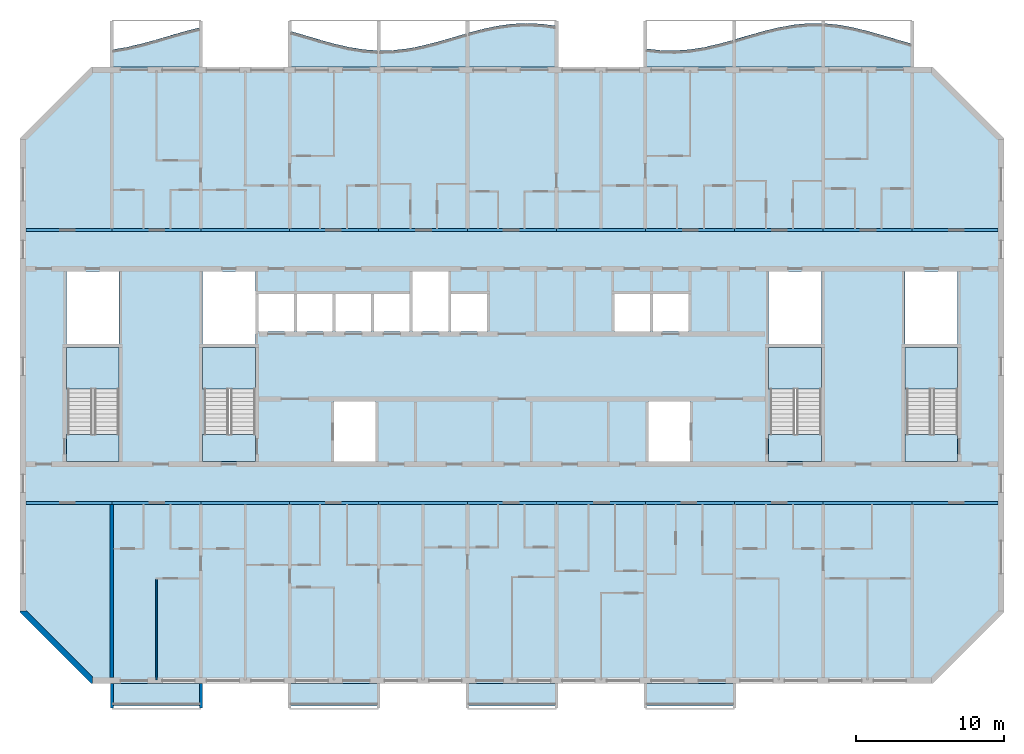
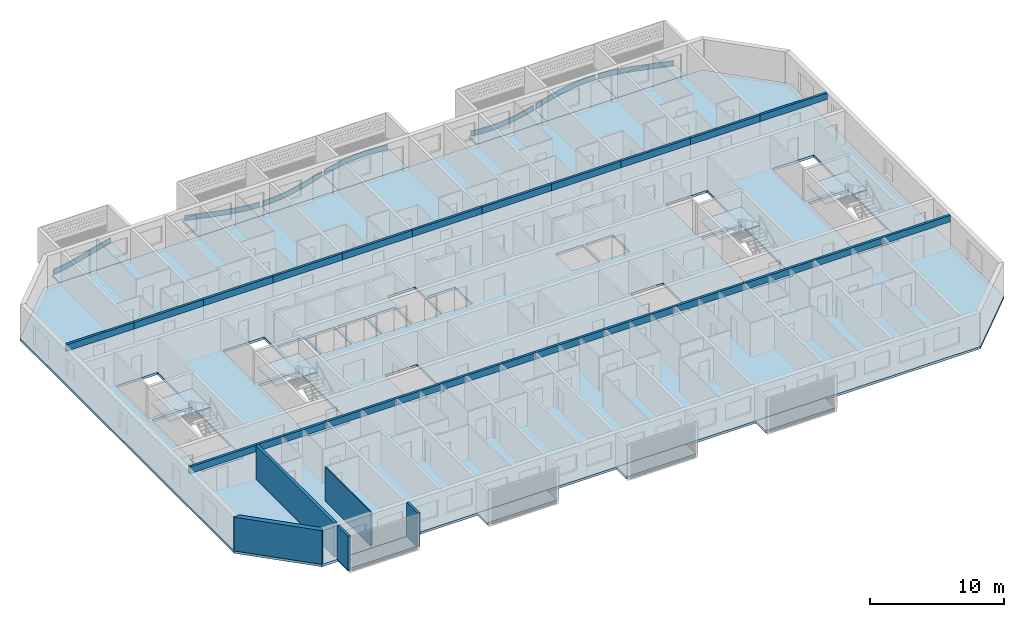
# One storey, part 1 of 29: 22 beams, 20 slabs, 7 plates, 5 walls, 4 elements without a shape of their own.
"""IFC4 building model written with IfcOpenShell, lengths in metres."""

import ifcopenshell
import ifcopenshell.guid

model = None  # the IFC model being written
_history = None  # IfcOwnerHistory: only IFC2X3 demands one
_inside = {}  # id of a spatial element -> (the spatial element, [elements in it])
_under = {}  # id of a project, library or spatial element -> (it, [spatial elements below it])
_declared = {}  # id of a project -> (the project, [libraries it declares])
_typed = {}  # id of a type object -> (the type object, [elements of that type])
_made_of = {}  # id of a material, layer set ... -> (it, [elements and type objects made of it])


def new_model(schema):
    """Start an empty IFC model of exactly this schema.

    Asked for "IFC4X3", IfcOpenShell would pick the latest addendum, in which some entities
    have other attributes; the version numbers below select the first issue.
    IFC2X3 requires an IfcOwnerHistory on every rooted entity: one is made here for all.
    """
    global model, _history
    if schema == "IFC4X3":
        model = ifcopenshell.file(schema_version=(4, 3, 0, 0))
    else:
        model = ifcopenshell.file(schema=schema)
    _inside.clear()
    _under.clear()
    _declared.clear()
    _typed.clear()
    _made_of.clear()
    _history = None
    if model.schema == "IFC2X3":
        org = make("IfcOrganization", Name="unknown")
        user = make(
            "IfcPersonAndOrganization",
            ThePerson=make("IfcPerson", FamilyName="unknown"),
            TheOrganization=org,
        )
        app = make(
            "IfcApplication",
            ApplicationDeveloper=org,
            Version="unknown",
            ApplicationFullName="unknown",
            ApplicationIdentifier="unknown",
        )
        _history = make(
            "IfcOwnerHistory",
            OwningUser=user,
            OwningApplication=app,
            ChangeAction="ADDED",
            CreationDate=0,
        )
    return model


def make(cls, **values):
    """One entity of the class cls with the attributes given. An attribute that is None is left unset."""
    return model.create_entity(
        cls, **{name: value for name, value in values.items() if value is not None}
    )


def rooted(cls, **values):
    """An entity with a GlobalId (a new one), such as an element, a storey or a relation."""
    return make(cls, GlobalId=ifcopenshell.guid.new(), OwnerHistory=_history, **values)


def si_unit(unit_type, name, prefix=None):
    """IfcSIUnit, for example si_unit("LENGTHUNIT", "METRE", prefix="MILLI")."""
    return make("IfcSIUnit", UnitType=unit_type, Prefix=prefix, Name=name)


def assignment(units):
    """IfcUnitAssignment: the units of a project."""
    return None if units is None else make("IfcUnitAssignment", Units=units)


def point(xyz):
    """IfcCartesianPoint."""
    return None if xyz is None else make("IfcCartesianPoint", Coordinates=xyz)


def direction(xyz):
    """IfcDirection."""
    return None if xyz is None else make("IfcDirection", DirectionRatios=xyz)


def frame(location, z_axis=None, x_axis=None):
    """IfcAxis2Placement3D, a coordinate frame: its origin and axes. An axis left out is left unset."""
    return make(
        "IfcAxis2Placement3D",
        Location=point(location),
        Axis=direction(z_axis),
        RefDirection=direction(x_axis),
    )


def frame_2d(location, x_axis=None):
    """IfcAxis2Placement2D, a coordinate frame in the plane: its origin and x axis."""
    return make(
        "IfcAxis2Placement2D", Location=point(location), RefDirection=direction(x_axis)
    )


def origin():
    """The frame at (0, 0, 0) with its axes left unset."""
    return frame((0.0, 0.0, 0.0))


def origin_2d():
    """The frame at (0, 0) in the plane with its x axis left unset."""
    return frame_2d((0.0, 0.0))


def place(relative_to, where):
    """IfcLocalPlacement: puts the frame where relative to a parent placement (None: the world)."""
    return make(
        "IfcLocalPlacement", PlacementRelTo=relative_to, RelativePlacement=where
    )


def context(
    kind, dimensions, precision=None, world=None, true_north=None, identifier=None
):
    """IfcGeometricRepresentationContext, for example the 3D "Model" context."""
    return make(
        "IfcGeometricRepresentationContext",
        ContextIdentifier=identifier,
        ContextType=kind,
        CoordinateSpaceDimension=dimensions,
        Precision=precision,
        WorldCoordinateSystem=world,
        TrueNorth=true_north,
    )


def subcontext(parent, identifier, kind, view, scale=None):
    """IfcGeometricRepresentationSubContext, for example "Body" below "Model"."""
    return make(
        "IfcGeometricRepresentationSubContext",
        ContextIdentifier=identifier,
        ContextType=kind,
        ParentContext=parent,
        TargetScale=scale,
        TargetView=view,
    )


def project(units=None, contexts=None):
    """IfcProject with its units and contexts."""
    return rooted(
        "IfcProject",
        Name="project",
        RepresentationContexts=contexts,
        UnitsInContext=assignment(units),
    )


def spatial(cls, under=None, at=None, **own):
    """A site, building, storey or space (cls), placed at a placement, below another one or the project."""
    s = rooted(cls, ObjectPlacement=at, **own)
    if under is not None:
        _under.setdefault(under.id(), (under, []))[1].append(s)
    return s


def polyline(points):
    """IfcPolyline through the points."""
    return make("IfcPolyline", Points=[point(p) for p in points])


def profile(cls, at=None, kind="AREA", **sizes):
    """A parametric profile (cls). Its sizes go by their IFC names, for example OverallWidth=200.0."""
    return make(cls, ProfileType=kind, Position=at, **sizes)


def rectangle(**sizes):
    """IfcRectangleProfileDef."""
    return profile("IfcRectangleProfileDef", **sizes)


def outline(outer, holes=None, kind="AREA"):
    """IfcArbitraryClosedProfileDef: a profile drawn as a closed curve; with holes, ...WithVoids."""
    if holes is None:
        return make("IfcArbitraryClosedProfileDef", ProfileType=kind, OuterCurve=outer)
    return make(
        "IfcArbitraryProfileDefWithVoids",
        ProfileType=kind,
        OuterCurve=outer,
        InnerCurves=holes,
    )


def extrude(swept, where, along, depth):
    """IfcExtrudedAreaSolid: the profile swept, set in the frame where, extruded along a direction by depth."""
    return make(
        "IfcExtrudedAreaSolid",
        SweptArea=swept,
        Position=where,
        ExtrudedDirection=direction(along),
        Depth=depth,
    )


def shape(context_of_items, identifier, shape_type, items):
    """IfcShapeRepresentation: the items that make up one representation, for example the "Body"."""
    return make(
        "IfcShapeRepresentation",
        ContextOfItems=context_of_items,
        RepresentationIdentifier=identifier,
        RepresentationType=shape_type,
        Items=items,
    )


def source(mapping_origin, context_of_items, identifier, shape_type, items):
    """IfcRepresentationMap: a shape defined once, which mapped items show again and again."""
    return make(
        "IfcRepresentationMap",
        MappingOrigin=mapping_origin,
        MappedRepresentation=shape(context_of_items, identifier, shape_type, items),
    )


def transform(
    local_origin,
    x_axis=None,
    y_axis=None,
    z_axis=None,
    scale=None,
    scale2=None,
    scale3=None,
    uniform=True,
):
    """IfcCartesianTransformationOperator3D, or its non-uniform kind. x_axis, y_axis, z_axis: its Axis1, 2, 3."""
    if uniform:
        return make(
            "IfcCartesianTransformationOperator3D",
            Axis1=direction(x_axis),
            Axis2=direction(y_axis),
            LocalOrigin=point(local_origin),
            Scale=scale,
            Axis3=direction(z_axis),
        )
    return make(
        "IfcCartesianTransformationOperator3DnonUniform",
        Axis1=direction(x_axis),
        Axis2=direction(y_axis),
        LocalOrigin=point(local_origin),
        Scale=scale,
        Axis3=direction(z_axis),
        Scale2=scale2,
        Scale3=scale3,
    )


def mapped(mapping_source, mapping_target):
    """IfcMappedItem: shows the shape of a source again, moved by a transform."""
    return make(
        "IfcMappedItem", MappingSource=mapping_source, MappingTarget=mapping_target
    )


def material(Name=None, Category=None):
    """IfcMaterial."""
    return make("IfcMaterial", Name=Name, Category=Category)


def layer(
    of_material, thickness, ventilated=None, Name=None, Category=None, Priority=None
):
    """IfcMaterialLayer: one layer of a wall or slab, of a material (None: an air gap)."""
    return make(
        "IfcMaterialLayer",
        Material=of_material,
        LayerThickness=thickness,
        IsVentilated=ventilated,
        Name=Name,
        Category=Category,
        Priority=Priority,
    )


def layer_set(layers, Name=None):
    """IfcMaterialLayerSet."""
    return make("IfcMaterialLayerSet", MaterialLayers=layers, LayerSetName=Name)


def material_profile(
    of_material, cross_section, Name=None, Category=None, Priority=None
):
    """IfcMaterialProfile: a cross section and its material."""
    return make(
        "IfcMaterialProfile",
        Name=Name,
        Material=of_material,
        Profile=cross_section,
        Priority=Priority,
        Category=Category,
    )


def profile_set(profiles, Name=None, composite=None):
    """IfcMaterialProfileSet."""
    return make(
        "IfcMaterialProfileSet",
        Name=Name,
        MaterialProfiles=profiles,
        CompositeProfile=composite,
    )


def made_of(thing, what):
    """Note that an element or type object is made of a material, layer set ...; save() writes the relation."""
    if what is not None:
        _made_of.setdefault(what.id(), (what, []))[1].append(thing)
    return thing


def type_object(cls, material=None, **own):
    """A type object (cls), such as IfcWallType, which elements share."""
    return made_of(rooted(cls, **own), material)


def element(
    cls,
    number,
    at=None,
    inside=None,
    cuts=None,
    type_object=None,
    material=None,
    context=None,
    identifier="Body",
    shape_type=None,
    held_by="IfcProductDefinitionShape",
    body=None,
    shapes=None,
    **own,
):
    """One element of the class cls, such as IfcWall. Its Tag is "e" and its number.

    at: its placement. inside: the storey or other place that contains it. cuts: it is an
    opening in that element (IfcRelVoidsElement). A single representation is given by context,
    identifier, shape_type and body (its items); several are given by shapes. held_by: the class
    of the entity that holds the representations. save() writes the other relations.
    """
    e = rooted(cls, Tag="e%d" % number, ObjectPlacement=at, **own)
    if body is not None:
        shapes = [shape(context, identifier, shape_type, body)]
    if shapes is not None:
        e.Representation = make(held_by, Representations=shapes)
    if inside is not None:
        _inside.setdefault(inside.id(), (inside, []))[1].append(e)
    if cuts is not None:
        rooted(
            "IfcRelVoidsElement", RelatingBuildingElement=cuts, RelatedOpeningElement=e
        )
    if type_object is not None:
        _typed.setdefault(type_object.id(), (type_object, []))[1].append(e)
    return made_of(e, material)


def aggregate(whole, parts):
    """IfcRelAggregates: a whole, such as a stair, and the parts it consists of."""
    return rooted("IfcRelAggregates", RelatingObject=whole, RelatedObjects=parts)


def save(model, path):
    """Write the relations noted so far, then the file.

    IfcRelAggregates (storeys below a building ...), IfcRelContainedInSpatialStructure (elements
    in a storey), IfcRelDefinesByType, IfcRelAssociatesMaterial and IfcRelDeclares: one each for
    every whole, place, type object, material and project.
    """
    for whole, parts in _under.values():
        aggregate(whole, parts)
    for where, things in _inside.values():
        rooted(
            "IfcRelContainedInSpatialStructure",
            RelatedElements=things,
            RelatingStructure=where,
        )
    for kind, things in _typed.values():
        rooted("IfcRelDefinesByType", RelatedObjects=things, RelatingType=kind)
    for what, things in _made_of.values():
        rooted("IfcRelAssociatesMaterial", RelatedObjects=things, RelatingMaterial=what)
    for by, libraries in _declared.values():
        rooted("IfcRelDeclares", RelatingContext=by, RelatedDefinitions=libraries)
    model.write(path)


model = new_model("IFC4")

# Units and contexts
model_context = context("Model", 3, precision=1e-05, world=origin(), true_north=direction((0.0, 1.0)))
body_context = subcontext(model_context, "Body", "Model", "MODEL_VIEW")
ifc_project = project(units=[si_unit("LENGTHUNIT", "METRE"), si_unit("AREAUNIT", "SQUARE_METRE"), si_unit("VOLUMEUNIT", "CUBIC_METRE"), si_unit("PLANEANGLEUNIT", "RADIAN"), si_unit("MASSUNIT", "GRAM", prefix="KILO")], contexts=[model_context])

# Site, building, storey
site_placement = place(None, origin())
site = spatial("IfcSite", under=ifc_project, at=site_placement, CompositionType="ELEMENT")
building_placement = place(site_placement, origin())
building = spatial("IfcBuilding", under=site, at=building_placement, Name="Poui Terraces", CompositionType="ELEMENT")
storey_placement = place(building_placement, frame((0.0, 0.0, 231.300048828125)))
storey = spatial("IfcBuildingStorey", under=building, at=storey_placement, Name="L64", CompositionType="ELEMENT", Elevation=231.300048828125)

# Beams
ifc_material_1 = material(Name="Concrete 50 MPa", Category="concrete")
ifc_material_profile = material_profile(ifc_material_1, rectangle(XDim=0.199951171875, YDim=0.60009765625, at=origin_2d()), Name="RC 200x600")
ifc_profile_set = profile_set([ifc_material_profile], Name="Concrete 50 MPa")
beam_type = type_object("IfcBeamType", Name="COUPLING BEAM 200x600 50MPa", PredefinedType="BEAM", material=ifc_profile_set)
shared_shape_1 = source(origin(), body_context, "Body", "SweptSolid", [
    extrude(rectangle(XDim=0.199951171875, YDim=0.60009765625, at=origin_2d()), origin(), (0.0, 0.0, 1.0), 5.800048828125),
])
for number, where, z_axis, x_axis, name in (
    (1, (18.199951171875, 12.0, 2.780029296875), (1.0, 0.0, 0.0), (0.0, 1.0, 0.0), "COUPLING BEAM LINE B BAY 1"),
    (2, (78.0, 12.0, 2.780029296875), (1.0, 0.0, 0.0), (0.0, 1.0, 0.0), "COUPLING BEAM LINE B BAY 11"),
    (3, (18.199951171875, 30.39990234375, 2.780029296875), (1.0, 0.0, 0.0), (0.0, 1.0, 0.0), "COUPLING BEAM LINE E BAY 1"),
    (4, (78.0, 30.39990234375, 2.780029296875), (1.0, 0.0, 0.0), (0.0, 1.0, 0.0), "COUPLING BEAM LINE E BAY 11"),
):
    element("IfcBeam", number, at=place(storey_placement, frame(where, z_axis=z_axis, x_axis=x_axis)), inside=storey, type_object=beam_type, Name=name, PredefinedType="BEAM", context=body_context, shape_type="MappedRepresentation", body=[
        mapped(shared_shape_1, transform((0.0, 0.0, 0.0))),
    ])
shared_shape_2 = source(origin(), body_context, "Body", "SweptSolid", [
    extrude(rectangle(XDim=0.199951171875, YDim=0.60009765625, at=origin_2d()), origin(), (0.0, 0.0, 1.0), 6.0),
])
for number, where, z_axis, x_axis, name in (
    (5, (24.0, 12.0, 2.780029296875), (1.0, 0.0, 0.0), (0.0, 1.0, 0.0), "COUPLING BEAM LINE B BAY 2"),
    (6, (30.0, 12.0, 2.780029296875), (1.0, 0.0, 0.0), (0.0, 1.0, 0.0), "COUPLING BEAM LINE B BAY 3"),
    (7, (36.0, 12.0, 2.780029296875), (1.0, 0.0, 0.0), (0.0, 1.0, 0.0), "COUPLING BEAM LINE B BAY 4"),
    (8, (42.0, 12.0, 2.780029296875), (1.0, 0.0, 0.0), (0.0, 1.0, 0.0), "COUPLING BEAM LINE B BAY 5"),
    (9, (48.0, 12.0, 2.780029296875), (1.0, 0.0, 0.0), (0.0, 1.0, 0.0), "COUPLING BEAM LINE B BAY 6"),
    (10, (54.0, 12.0, 2.780029296875), (1.0, 0.0, 0.0), (0.0, 1.0, 0.0), "COUPLING BEAM LINE B BAY 7"),
    (11, (60.0, 12.0, 2.780029296875), (1.0, 0.0, 0.0), (0.0, 1.0, 0.0), "COUPLING BEAM LINE B BAY 8"),
    (12, (66.0, 12.0, 2.780029296875), (1.0, 0.0, 0.0), (0.0, 1.0, 0.0), "COUPLING BEAM LINE B BAY 9"),
    (13, (72.0, 12.0, 2.780029296875), (1.0, 0.0, 0.0), (0.0, 1.0, 0.0), "COUPLING BEAM LINE B BAY 10"),
    (14, (24.0, 30.39990234375, 2.780029296875), (1.0, 0.0, 0.0), (0.0, 1.0, 0.0), "COUPLING BEAM LINE E BAY 2"),
    (15, (30.0, 30.39990234375, 2.780029296875), (1.0, 0.0, 0.0), (0.0, 1.0, 0.0), "COUPLING BEAM LINE E BAY 3"),
    (16, (36.0, 30.39990234375, 2.780029296875), (1.0, 0.0, 0.0), (0.0, 1.0, 0.0), "COUPLING BEAM LINE E BAY 4"),
    (17, (42.0, 30.39990234375, 2.780029296875), (1.0, 0.0, 0.0), (0.0, 1.0, 0.0), "COUPLING BEAM LINE E BAY 5"),
    (18, (48.0, 30.39990234375, 2.780029296875), (1.0, 0.0, 0.0), (0.0, 1.0, 0.0), "COUPLING BEAM LINE E BAY 6"),
    (19, (54.0, 30.39990234375, 2.780029296875), (1.0, 0.0, 0.0), (0.0, 1.0, 0.0), "COUPLING BEAM LINE E BAY 7"),
    (20, (60.0, 30.39990234375, 2.780029296875), (1.0, 0.0, 0.0), (0.0, 1.0, 0.0), "COUPLING BEAM LINE E BAY 8"),
    (21, (66.0, 30.39990234375, 2.780029296875), (1.0, 0.0, 0.0), (0.0, 1.0, 0.0), "COUPLING BEAM LINE E BAY 9"),
    (22, (72.0, 30.39990234375, 2.780029296875), (1.0, 0.0, 0.0), (0.0, 1.0, 0.0), "COUPLING BEAM LINE E BAY 10"),
):
    element("IfcBeam", number, at=place(storey_placement, frame(where, z_axis=z_axis, x_axis=x_axis)), inside=storey, type_object=beam_type, Name=name, PredefinedType="BEAM", context=body_context, shape_type="MappedRepresentation", body=[
        mapped(shared_shape_2, transform((0.0, 0.0, 0.0))),
    ])

# Slabs
ifc_material_2 = material(Name="Precast concrete 40 MPa", Category="concrete")
ifc_layer_1 = layer(ifc_material_2, 0.199951171875)
ifc_layer_set_1 = layer_set([ifc_layer_1], Name="Precast concrete 40 MPa")
slab_type_1 = type_object("IfcSlabType", Name="BALCONY SLAB 200", PredefinedType="FLOOR", material=ifc_layer_set_1)
slab_1_placement = place(storey_placement, frame((0.0, 0.0, -0.2001953125)))
element("IfcSlab", 23, at=slab_1_placement, inside=storey, type_object=slab_type_1, Name="BALCONY SLAB", PredefinedType="FLOOR", context=body_context, shape_type="SweptSolid", body=[
    extrude(outline(polyline([(24.0, 41.39990234375), (30.0, 41.39990234375), (30.0, 44.06591796875), (29.0, 43.821533203125), (28.0, 43.53662109375), (27.0, 43.239990234375), (26.0, 42.96240234375), (25.0, 42.732666015625), (24.0, 42.573974609375), (24.0, 41.39990234375)])), origin(), (0.0, 0.0, 1.0), 0.2001953125),
])
slab_2_placement = place(storey_placement, frame((0.0, 0.0, -0.2001953125)))
element("IfcSlab", 24, at=slab_2_placement, inside=storey, type_object=slab_type_1, Name="BALCONY SLAB", PredefinedType="FLOOR", context=body_context, shape_type="SweptSolid", body=[
    extrude(outline(polyline([(36.0, 41.39990234375), (42.0, 41.39990234375), (42.0, 42.5029296875), (41.0, 42.573974609375), (40.0, 42.732666015625), (39.0, 42.96240234375), (38.0, 43.239990234375), (37.0, 43.53662109375), (36.0, 43.821533203125), (36.0, 41.39990234375)])), origin(), (0.0, 0.0, 1.0), 0.2001953125),
])
slab_3_placement = place(storey_placement, frame((0.0, 0.0, -0.2001953125)))
element("IfcSlab", 25, at=slab_3_placement, inside=storey, type_object=slab_type_1, Name="BALCONY SLAB", PredefinedType="FLOOR", context=body_context, shape_type="SweptSolid", body=[
    extrude(outline(polyline([(42.0, 41.39990234375), (48.0, 41.39990234375), (48.0, 43.682373046875), (47.0, 43.3876953125), (46.0, 43.096923828125), (45.0, 42.840087890625), (44.0, 42.643310546875), (43.0, 42.52685546875), (42.0, 42.5029296875), (42.0, 41.39990234375)])), origin(), (0.0, 0.0, 1.0), 0.2001953125),
])
slab_4_placement = place(storey_placement, frame((0.0, 0.0, -0.2001953125)))
element("IfcSlab", 26, at=slab_4_placement, inside=storey, type_object=slab_type_1, Name="BALCONY SLAB", PredefinedType="FLOOR", context=body_context, shape_type="SweptSolid", body=[
    extrude(outline(polyline([(48.0, 41.39990234375), (54.0, 41.39990234375), (54.0, 44.16455078125), (53.0, 44.302490234375), (52.0, 44.35009765625), (51.0, 44.302490234375), (50.0, 44.16455078125), (49.0, 43.950439453125), (48.0, 43.682373046875), (48.0, 41.39990234375)])), origin(), (0.0, 0.0, 1.0), 0.2001953125),
])
slab_5_placement = place(storey_placement, frame((0.0, 0.0, -0.2001953125)))
element("IfcSlab", 27, at=slab_5_placement, inside=storey, type_object=slab_type_1, Name="BALCONY SLAB", PredefinedType="FLOOR", context=body_context, shape_type="SweptSolid", body=[
    extrude(outline(polyline([(60.0, 41.39990234375), (66.0, 41.39990234375), (66.0, 43.239990234375), (65.0, 42.96240234375), (64.0, 42.732666015625), (63.0, 42.573974609375), (62.0, 42.5029296875), (61.0, 42.52685546875), (60.0, 42.643310546875), (60.0, 41.39990234375)])), origin(), (0.0, 0.0, 1.0), 0.2001953125),
])
slab_6_placement = place(storey_placement, frame((0.0, 0.0, -0.2001953125)))
element("IfcSlab", 28, at=slab_6_placement, inside=storey, type_object=slab_type_1, Name="BALCONY SLAB", PredefinedType="FLOOR", context=body_context, shape_type="SweptSolid", body=[
    extrude(outline(polyline([(66.0, 41.39990234375), (72.0, 41.39990234375), (72.0, 44.337890625), (71.0, 44.337890625), (70.0, 44.243896484375), (69.0, 44.06591796875), (68.0, 43.821533203125), (67.0, 43.53662109375), (66.0, 43.239990234375), (66.0, 41.39990234375)])), origin(), (0.0, 0.0, 1.0), 0.2001953125),
])
slab_7_placement = place(storey_placement, frame((0.0, 0.0, -0.2001953125)))
element("IfcSlab", 29, at=slab_7_placement, inside=storey, type_object=slab_type_1, Name="BALCONY SLAB", PredefinedType="FLOOR", context=body_context, shape_type="SweptSolid", body=[
    extrude(outline(polyline([(72.0, 41.39990234375), (78.0, 41.39990234375), (78.0, 42.96240234375), (77.0, 43.239990234375), (76.0, 43.53662109375), (75.0, 43.821533203125), (74.0, 44.06591796875), (73.0, 44.243896484375), (72.0, 44.337890625), (72.0, 41.39990234375)])), origin(), (0.0, 0.0, 1.0), 0.2001953125),
])

# Stair, slabs
stair_type = type_object("IfcStairType", Name="EXIT STAIR 1650 50 MPA", PredefinedType="HALF_TURN_STAIR", material=ifc_material_1)
stair_1_placement = place(storey_placement, origin())
stair_1 = element("IfcStair", 30, at=stair_1_placement, inside=storey, type_object=stair_type, Name="L64 CORE STAIR EAST", PredefinedType="HALF_TURN_STAIR")
ifc_layer_2 = layer(ifc_material_1, 0.199951171875)
ifc_layer_set_2 = layer_set([ifc_layer_2], Name="Concrete 50 MPa")
slab_type_2 = type_object("IfcSlabType", Name="STAIR LANDING 200 50 MPA", PredefinedType="LANDING", material=ifc_layer_set_2)
slab_8_placement = place(storey_placement, frame((0.0, 0.0, 1.449951171875)))
slab_8 = element("IfcSlab", 31, at=slab_8_placement, type_object=slab_type_2, Name="ST-CE landing 1", PredefinedType="LANDING", context=body_context, shape_type="SweptSolid", body=[
    extrude(outline(polyline([(68.324951171875, 19.679931640625), (71.875, 19.679931640625), (71.875, 22.47509765625), (68.324951171875, 22.47509765625), (68.324951171875, 19.679931640625)])), origin(), (0.0, 0.0, 1.0), 0.199951171875),
])
slab_9_placement = place(storey_placement, frame((0.0, 0.0, -0.2001953125)))
slab_9 = element("IfcSlab", 32, at=slab_9_placement, type_object=slab_type_2, Name="ST-CE landing 2", PredefinedType="LANDING", context=body_context, shape_type="SweptSolid", body=[
    extrude(outline(polyline([(68.324951171875, 14.77490234375), (71.875, 14.77490234375), (71.875, 16.60009765625), (68.324951171875, 16.60009765625), (68.324951171875, 14.77490234375)])), origin(), (0.0, 0.0, 1.0), 0.2001953125),
])
aggregate(stair_1, [slab_8, slab_9])

stair_2_placement = place(storey_placement, origin())
stair_2 = element("IfcStair", 33, at=stair_2_placement, inside=storey, type_object=stair_type, Name="L64 CORE STAIR WEST", PredefinedType="HALF_TURN_STAIR")
slab_10_placement = place(storey_placement, frame((0.0, 0.0, 1.449951171875)))
slab_10 = element("IfcSlab", 34, at=slab_10_placement, type_object=slab_type_2, Name="ST-CW landing 1", PredefinedType="LANDING", context=body_context, shape_type="SweptSolid", body=[
    extrude(outline(polyline([(30.125, 19.679931640625), (33.675048828125, 19.679931640625), (33.675048828125, 22.47509765625), (30.125, 22.47509765625), (30.125, 19.679931640625)])), origin(), (0.0, 0.0, 1.0), 0.199951171875),
])
slab_11_placement = place(storey_placement, frame((0.0, 0.0, -0.2001953125)))
slab_11 = element("IfcSlab", 35, at=slab_11_placement, type_object=slab_type_2, Name="ST-CW landing 2", PredefinedType="LANDING", context=body_context, shape_type="SweptSolid", body=[
    extrude(outline(polyline([(30.125, 14.77490234375), (33.675048828125, 14.77490234375), (33.675048828125, 16.60009765625), (30.125, 16.60009765625), (30.125, 14.77490234375)])), origin(), (0.0, 0.0, 1.0), 0.2001953125),
])
aggregate(stair_2, [slab_10, slab_11])

stair_3_placement = place(storey_placement, origin())
stair_3 = element("IfcStair", 36, at=stair_3_placement, inside=storey, type_object=stair_type, Name="L64 TIP STAIR EAST", PredefinedType="HALF_TURN_STAIR")
slab_12_placement = place(storey_placement, frame((0.0, 0.0, 1.449951171875)))
slab_12 = element("IfcSlab", 37, at=slab_12_placement, type_object=slab_type_2, Name="ST-E landing 1", PredefinedType="LANDING", context=body_context, shape_type="SweptSolid", body=[
    extrude(outline(polyline([(77.52490234375, 19.679931640625), (81.074951171875, 19.679931640625), (81.074951171875, 22.47509765625), (77.52490234375, 22.47509765625), (77.52490234375, 19.679931640625)])), origin(), (0.0, 0.0, 1.0), 0.199951171875),
])
slab_13_placement = place(storey_placement, frame((0.0, 0.0, -0.2001953125)))
slab_13 = element("IfcSlab", 38, at=slab_13_placement, type_object=slab_type_2, Name="ST-E landing 2", PredefinedType="LANDING", context=body_context, shape_type="SweptSolid", body=[
    extrude(outline(polyline([(77.52490234375, 14.77490234375), (81.074951171875, 14.77490234375), (81.074951171875, 16.60009765625), (77.52490234375, 16.60009765625), (77.52490234375, 14.77490234375)])), origin(), (0.0, 0.0, 1.0), 0.2001953125),
])
aggregate(stair_3, [slab_12, slab_13])

stair_4_placement = place(storey_placement, origin())
stair_4 = element("IfcStair", 39, at=stair_4_placement, inside=storey, type_object=stair_type, Name="L64 TIP STAIR WEST", PredefinedType="HALF_TURN_STAIR")
slab_14_placement = place(storey_placement, frame((0.0, 0.0, 1.449951171875)))
slab_14 = element("IfcSlab", 40, at=slab_14_placement, type_object=slab_type_2, Name="ST-W landing 1", PredefinedType="LANDING", context=body_context, shape_type="SweptSolid", body=[
    extrude(outline(polyline([(20.925048828125, 19.679931640625), (24.47509765625, 19.679931640625), (24.47509765625, 22.47509765625), (20.925048828125, 22.47509765625), (20.925048828125, 19.679931640625)])), origin(), (0.0, 0.0, 1.0), 0.199951171875),
])
slab_15_placement = place(storey_placement, frame((0.0, 0.0, -0.2001953125)))
slab_15 = element("IfcSlab", 41, at=slab_15_placement, type_object=slab_type_2, Name="ST-W landing 2", PredefinedType="LANDING", context=body_context, shape_type="SweptSolid", body=[
    extrude(outline(polyline([(20.925048828125, 14.77490234375), (24.47509765625, 14.77490234375), (24.47509765625, 16.60009765625), (20.925048828125, 16.60009765625), (20.925048828125, 14.77490234375)])), origin(), (0.0, 0.0, 1.0), 0.2001953125),
])
aggregate(stair_4, [slab_14, slab_15])

# Plates
ifc_layer_3 = layer(ifc_material_2, 0.080078125)
ifc_layer_set_3 = layer_set([ifc_layer_3], Name="Precast concrete 40 MPa")
plate_type = type_object("IfcPlateType", Name="SUNSHADE UPSTAND 80", PredefinedType="SHEET", material=ifc_layer_set_3)
plate_1_placement = place(storey_placement, origin())
element("IfcPlate", 42, at=plate_1_placement, inside=storey, type_object=plate_type, Name="SUNSHADE UPSTAND", PredefinedType="SHEET", context=body_context, shape_type="SweptSolid", body=[
    extrude(outline(polyline([(24.9921875, 42.726806640625), (24.118408203125, 42.583740234375), (24.131591796875, 42.5048828125), (25.0078125, 42.6484375), (26.009765625, 42.878662109375), (27.010986328125, 43.156494140625), (28.01123046875, 43.453125), (29.01025390625, 43.73779296875), (29.884521484375, 43.95458984375), (29.865478515625, 44.0322265625), (28.98974609375, 43.815185546875), (27.98876953125, 43.52978515625), (26.989013671875, 43.2333984375), (25.990234375, 42.956298828125), (24.9921875, 42.726806640625)])), origin(), (0.0, 0.0, 1.0), 0.449951171875),
])
plate_2_placement = place(storey_placement, origin())
element("IfcPlate", 43, at=plate_2_placement, inside=storey, type_object=plate_type, Name="SUNSHADE UPSTAND", PredefinedType="SHEET", context=body_context, shape_type="SweptSolid", body=[
    extrude(outline(polyline([(37.01123046875, 43.52978515625), (36.135986328125, 43.781005859375), (36.114013671875, 43.7041015625), (36.98876953125, 43.453125), (37.989013671875, 43.156494140625), (38.990234375, 42.878662109375), (39.992431640625, 42.648193359375), (40.995361328125, 42.4892578125), (41.871826171875, 42.421875), (41.878173828125, 42.501708984375), (41.004638671875, 42.56884765625), (40.007568359375, 42.726806640625), (39.009765625, 42.956298828125), (38.010986328125, 43.2333984375), (37.01123046875, 43.52978515625)])), origin(), (0.0, 0.0, 1.0), 0.449951171875),
])
plate_3_placement = place(storey_placement, origin())
element("IfcPlate", 44, at=plate_3_placement, inside=storey, type_object=plate_type, Name="SUNSHADE UPSTAND", PredefinedType="SHEET", context=body_context, shape_type="SweptSolid", body=[
    extrude(outline(polyline([(42.9970703125, 42.521728515625), (42.123779296875, 42.49560546875), (42.126220703125, 42.415771484375), (43.0029296875, 42.44189453125), (44.006103515625, 42.55859375), (45.0087890625, 42.756103515625), (46.010498046875, 43.013427734375), (47.01123046875, 43.304443359375), (47.88623046875, 43.56298828125), (47.86376953125, 43.6396484375), (46.98876953125, 43.381103515625), (45.989501953125, 43.090576171875), (44.9912109375, 42.833984375), (43.993896484375, 42.6376953125), (42.9970703125, 42.521728515625)])), origin(), (0.0, 0.0, 1.0), 0.449951171875),
])
plate_4_placement = place(storey_placement, origin())
element("IfcPlate", 45, at=plate_4_placement, inside=storey, type_object=plate_type, Name="SUNSHADE UPSTAND", PredefinedType="SHEET", context=body_context, shape_type="SweptSolid", body=[
    extrude(outline(polyline([(48.99072265625, 43.9443359375), (48.11474609375, 43.711669921875), (48.13525390625, 43.63427734375), (49.00927734375, 43.86669921875), (50.0068359375, 44.080078125), (51.003662109375, 44.217529296875), (52.0, 44.264892578125), (52.996337890625, 44.217529296875), (53.86962890625, 44.1015625), (53.88037109375, 44.180908203125), (53.003662109375, 44.29736328125), (52.0, 44.344970703125), (50.996337890625, 44.29736328125), (49.9931640625, 44.158935546875), (48.99072265625, 43.9443359375)])), origin(), (0.0, 0.0, 1.0), 0.449951171875),
])
plate_5_placement = place(storey_placement, origin())
element("IfcPlate", 46, at=plate_5_placement, inside=storey, type_object=plate_type, Name="SUNSHADE UPSTAND", PredefinedType="SHEET", context=body_context, shape_type="SweptSolid", body=[
    extrude(outline(polyline([(61.002685546875, 42.521728515625), (60.12939453125, 42.61865234375), (60.12060546875, 42.539306640625), (60.997314453125, 42.44189453125), (62.0009765625, 42.41796875), (63.004638671875, 42.4892578125), (64.007568359375, 42.648193359375), (65.009765625, 42.878662109375), (65.885498046875, 43.1201171875), (65.864501953125, 43.197265625), (64.990234375, 42.956298828125), (63.992431640625, 42.726806640625), (62.995361328125, 42.56884765625), (61.9990234375, 42.498046875), (61.002685546875, 42.521728515625)])), origin(), (0.0, 0.0, 1.0), 0.449951171875),
])
plate_6_placement = place(storey_placement, origin())
element("IfcPlate", 47, at=plate_6_placement, inside=storey, type_object=plate_type, Name="SUNSHADE UPSTAND", PredefinedType="SHEET", context=body_context, shape_type="SweptSolid", body=[
    extrude(outline(polyline([(66.98876953125, 43.52978515625), (66.113525390625, 43.27001953125), (66.136474609375, 43.193359375), (67.01123046875, 43.453125), (68.01025390625, 43.73779296875), (69.00830078125, 43.981689453125), (70.00537109375, 44.159423828125), (71.001953125, 44.2529296875), (71.875244140625, 44.25830078125), (71.874755859375, 44.337890625), (71.835693359375, 44.337890625), (70.998046875, 44.3330078125), (69.99462890625, 44.23876953125), (68.99169921875, 44.059814453125), (67.98974609375, 43.815185546875), (66.98876953125, 43.52978515625)])), origin(), (0.0, 0.0, 1.0), 0.449951171875),
])
plate_7_placement = place(storey_placement, origin())
element("IfcPlate", 48, at=plate_7_placement, inside=storey, type_object=plate_type, Name="SUNSHADE UPSTAND", PredefinedType="SHEET", context=body_context, shape_type="SweptSolid", body=[
    extrude(outline(polyline([(73.005615234375, 44.23876953125), (72.1650390625, 44.322509765625), (72.12890625, 44.325927734375), (72.12109375, 44.24658203125), (72.994384765625, 44.159423828125), (73.99169921875, 43.981689453125), (74.98974609375, 43.73779296875), (75.98876953125, 43.453125), (76.989013671875, 43.156494140625), (77.8642578125, 42.91162109375), (77.8857421875, 42.98876953125), (77.010986328125, 43.2333984375), (76.01123046875, 43.52978515625), (75.01025390625, 43.815185546875), (74.00830078125, 44.059814453125), (73.005615234375, 44.23876953125)])), origin(), (0.0, 0.0, 1.0), 0.449951171875),
])

# Slabs
ifc_material_3 = material(Name="Concrete 40 MPa", Category="concrete")
ifc_layer_4 = layer(ifc_material_3, 0.219970703125)
ifc_layer_set_4 = layer_set([ifc_layer_4], Name="Concrete 40 MPa")
slab_type_3 = type_object("IfcSlabType", Name="FLOOR SLAB 220", PredefinedType="FLOOR", material=ifc_layer_set_4)
shared_shape_3 = source(origin(), body_context, "Body", "SweptSolid", [
    extrude(outline(polyline([(0.0, 0.0), (4.800048828125, -4.800048828125), (61.599853515625, -4.800048828125), (66.39990234375, 0.0), (66.39990234375, 32.0), (61.599853515625, 36.7998046875), (4.800048828125, 36.7998046875), (0.0, 32.0), (0.0, 0.0)]), holes=[polyline([(21.199951171875, 10.1748046875), (21.199951171875, 14.224853515625), (24.0, 14.224853515625), (24.0, 10.1748046875), (21.199951171875, 10.1748046875)]), polyline([(3.224853515625, 17.849853515625), (6.675048828125, 17.849853515625), (6.675048828125, 12.0), (6.675048828125, 10.1748046875), (3.125, 10.1748046875), (3.125, 12.0), (3.224853515625, 12.0), (3.224853515625, 17.849853515625)]), polyline([(12.425048828125, 17.849853515625), (15.875, 17.849853515625), (15.875, 12.0), (15.875, 10.1748046875), (12.324951171875, 10.1748046875), (12.324951171875, 12.0), (12.425048828125, 12.0), (12.425048828125, 17.849853515625)]), polyline([(16.099853515625, 18.974853515625), (16.099853515625, 21.5), (18.5, 21.5), (18.5, 18.974853515625), (16.099853515625, 18.974853515625)]), polyline([(18.699951171875, 18.974853515625), (18.699951171875, 21.5), (21.099853515625, 21.5), (21.099853515625, 18.974853515625), (18.699951171875, 18.974853515625)]), polyline([(21.300048828125, 18.974853515625), (21.300048828125, 21.5), (23.699951171875, 21.5), (23.699951171875, 18.974853515625), (21.300048828125, 18.974853515625)]), polyline([(23.89990234375, 18.974853515625), (23.89990234375, 21.5), (26.300048828125, 21.5), (26.300048828125, 18.974853515625), (23.89990234375, 18.974853515625)]), polyline([(3.125, 23.02490234375), (6.675048828125, 23.02490234375), (6.675048828125, 18.125), (3.125, 18.125), (3.125, 23.02490234375)]), polyline([(12.324951171875, 23.02490234375), (15.875, 23.02490234375), (15.875, 18.125), (12.324951171875, 18.125), (12.324951171875, 23.02490234375)]), polyline([(42.39990234375, 10.1748046875), (42.39990234375, 14.224853515625), (45.199951171875, 14.224853515625), (45.199951171875, 10.1748046875), (42.39990234375, 10.1748046875)]), polyline([(50.625, 17.849853515625), (54.074951171875, 17.849853515625), (54.074951171875, 12.0), (54.074951171875, 10.1748046875), (50.52490234375, 10.1748046875), (50.52490234375, 12.0), (50.625, 12.0), (50.625, 17.849853515625)]), polyline([(59.824951171875, 17.849853515625), (63.27490234375, 17.849853515625), (63.27490234375, 12.0), (63.27490234375, 10.1748046875), (59.724853515625, 10.1748046875), (59.724853515625, 12.0), (59.824951171875, 12.0), (59.824951171875, 17.849853515625)]), polyline([(29.099853515625, 18.974853515625), (29.099853515625, 21.5), (31.5, 21.5), (31.5, 18.974853515625), (29.099853515625, 18.974853515625)]), polyline([(40.099853515625, 18.974853515625), (40.099853515625, 21.5), (42.5, 21.5), (42.5, 18.974853515625), (40.099853515625, 18.974853515625)]), polyline([(42.699951171875, 18.974853515625), (42.699951171875, 21.5), (45.099853515625, 21.5), (45.099853515625, 18.974853515625), (42.699951171875, 18.974853515625)]), polyline([(50.52490234375, 18.125), (50.52490234375, 23.02490234375), (54.074951171875, 23.02490234375), (54.074951171875, 18.125), (50.52490234375, 18.125)]), polyline([(59.724853515625, 23.02490234375), (63.27490234375, 23.02490234375), (63.27490234375, 18.125), (59.724853515625, 18.125), (59.724853515625, 23.02490234375)]), polyline([(26.5, 23.02490234375), (28.89990234375, 23.02490234375), (28.89990234375, 18.974853515625), (26.5, 18.974853515625), (26.5, 23.02490234375)])]), origin(), (0.0, 0.0, 1.0), 0.22021484375),
])
slab_16_placement = place(storey_placement, frame((17.800048828125, 4.60009765625, -0.22021484375)))
element("IfcSlab", 49, at=slab_16_placement, inside=storey, type_object=slab_type_3, Name="FLOOR SLAB", PredefinedType="FLOOR", context=body_context, shape_type="MappedRepresentation", body=[
    mapped(shared_shape_3, transform((0.0, 0.0, 0.0))),
])
ifc_layer_5 = layer(ifc_material_2, 0.199951171875)
ifc_layer_set_5 = layer_set([ifc_layer_5], Name="Precast concrete 40 MPa")
slab_type_4 = type_object("IfcSlabType", Name="REAR BALCONY SLAB 200", PredefinedType="FLOOR", material=ifc_layer_set_5)
shared_shape_4 = source(origin(), body_context, "Body", "SweptSolid", [
    extrude(outline(polyline([(0.0, 0.0), (6.0, 0.0), (6.0, 1.5), (0.0, 1.5), (0.0, 0.0)])), origin(), (0.0, 0.0, 1.0), 0.2001953125),
])
for number, where, name in (
    (50, (24.0, -1.699951171875, -0.2001953125), "REAR BALCONY SLAB"),
    (51, (36.0, -1.699951171875, -0.2001953125), "REAR BALCONY SLAB"),
    (52, (48.0, -1.699951171875, -0.2001953125), "REAR BALCONY SLAB"),
    (53, (60.0, -1.699951171875, -0.2001953125), "REAR BALCONY SLAB"),
):
    element("IfcSlab", number, at=place(storey_placement, frame(where)), inside=storey, type_object=slab_type_4, Name=name, PredefinedType="FLOOR", context=body_context, shape_type="MappedRepresentation", body=[
        mapped(shared_shape_4, transform((0.0, 0.0, 0.0))),
    ])

# Walls
ifc_layer_6 = layer(ifc_material_1, 0.25)
ifc_layer_set_6 = layer_set([ifc_layer_6], Name="Concrete 50 MPa")
wall_type_1 = type_object("IfcWallType", Name="CROSS WALL 250 50MPa", PredefinedType="SHEAR", material=ifc_layer_set_6)
wall_1_placement = place(storey_placement, frame((24.0, 0.199951171875, 0.0), z_axis=(0.0, 0.0, 1.0), x_axis=(0.0, 1.0, 0.0)))
element("IfcWall", 54, at=wall_1_placement, inside=storey, type_object=wall_type_1, Name="CROSS WALL LINE 5 SOUTH", PredefinedType="SHEAR", context=body_context, shape_type="SweptSolid", body=[
    extrude(rectangle(XDim=11.699951171875, YDim=0.25, at=frame_2d((5.85009765625, 0.0))), origin(), (0.0, 0.0, 1.0), 3.079833984375),
])
ifc_material_4 = material(Name="Plasterboard partition")
ifc_layer_7 = layer(ifc_material_4, 0.10009765625)
ifc_layer_set_7 = layer_set([ifc_layer_7], Name="Plasterboard partition")
wall_type_2 = type_object("IfcWallType", Name="FLAT PARTITION 100", PredefinedType="PARTITIONING", material=ifc_layer_set_7)
wall_2_placement = place(storey_placement, frame((27.0, 0.06005859375, 0.0), z_axis=(0.0, 0.0, 1.0), x_axis=(0.0, 1.0, 0.0)))
element("IfcWall", 55, at=wall_2_placement, inside=storey, type_object=wall_type_2, Name="FLAT PARTITION 100", PredefinedType="PARTITIONING", context=body_context, shape_type="SweptSolid", body=[
    extrude(rectangle(XDim=6.7900390625, YDim=0.10009765625, at=frame_2d((3.39501953125, 0.0))), origin(), (0.0, 0.0, 1.0), 3.079833984375),
])
ifc_layer_8 = layer(ifc_material_2, 0.39990234375)
ifc_layer_set_8 = layer_set([ifc_layer_8], Name="Precast concrete 40 MPa")
wall_type_3 = type_object("IfcWallType", Name="TERRACOTTA CLAD CHAMFER WALL 400", PredefinedType="STANDARD", material=ifc_layer_set_8)
wall_3_placement = place(storey_placement, origin())
element("IfcWall", 56, at=wall_3_placement, inside=storey, type_object=wall_type_3, Name="CHAMFER WALL CH07", PredefinedType="STANDARD", context=body_context, shape_type="SweptSolid", body=[
    extrude(outline(polyline([(17.800048828125, 4.682861328125), (17.800048828125, 4.60009765625), (22.60009765625, -0.199951171875), (22.682861328125, -0.199951171875), (22.682861328125, 0.28271484375), (18.28271484375, 4.682861328125), (17.800048828125, 4.682861328125)])), origin(), (0.0, 0.0, 1.0), 3.079833984375),
])
ifc_layer_9 = layer(ifc_material_2, 0.199951171875)
ifc_layer_set_9 = layer_set([ifc_layer_9], Name="Precast concrete 40 MPa")
wall_type_4 = type_object("IfcWallType", Name="REAR FIN 200", PredefinedType="STANDARD", material=ifc_layer_set_9)
shared_shape_5 = source(origin(), body_context, "Body", "SweptSolid", [
    extrude(outline(polyline([(0.0, 0.0), (0.2001953125, 0.0), (0.2001953125, 1.650146484375), (0.0, 1.650146484375), (0.0, 0.0)])), origin(), (0.0, 0.0, 1.0), 3.099853515625),
])
for number, where, name in (
    (57, (23.89990234375, -1.85009765625, 0.0), "REAR FIN"),
    (58, (29.89990234375, -1.85009765625, 0.0), "REAR FIN"),
):
    element("IfcWall", number, at=place(storey_placement, frame(where)), inside=storey, type_object=wall_type_4, Name=name, PredefinedType="STANDARD", context=body_context, shape_type="MappedRepresentation", body=[
        mapped(shared_shape_5, transform((0.0, 0.0, 0.0))),
    ])

save(model, "model.ifc")
